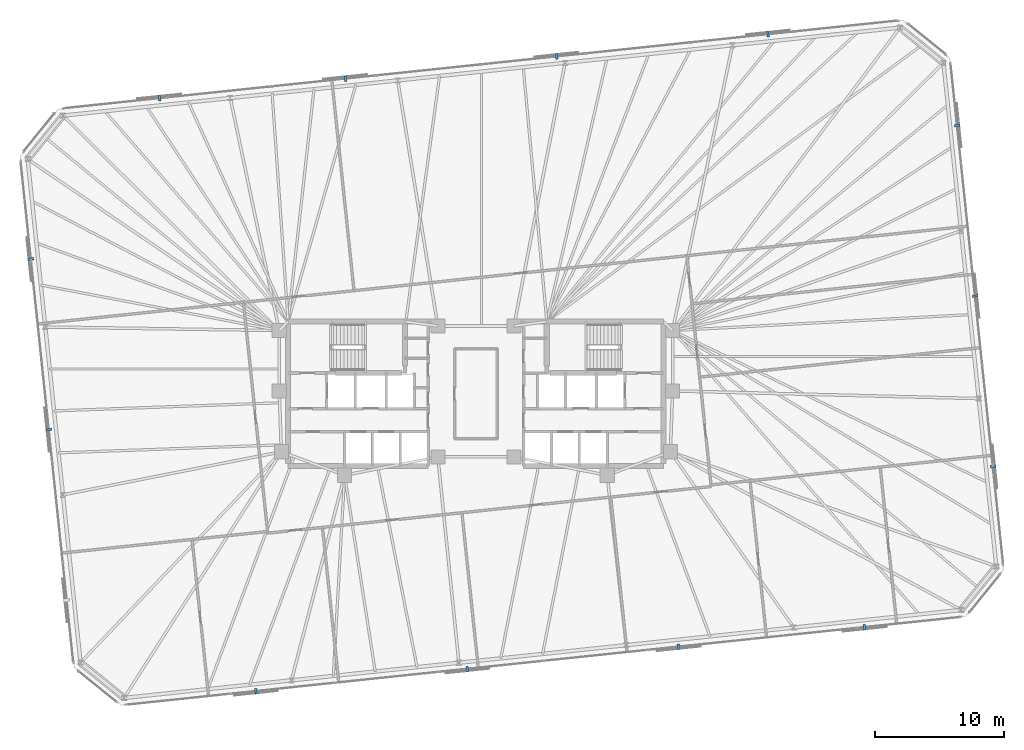
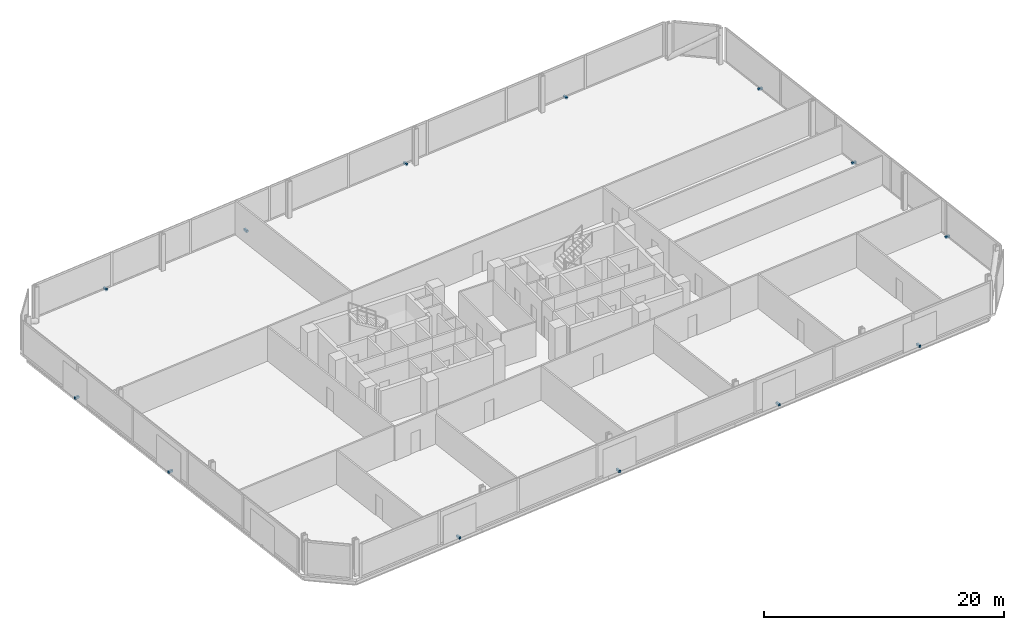
# One storey, part 17 of 18: 13 discrete accessories.
"""IFC4 building model written with IfcOpenShell, lengths in metres."""

from ifc_helpers import new_model, si_unit, direction, frame, origin, origin_2d, place, context, subcontext, project, spatial, rectangle, extrude, material, type_object, element, save


model = new_model("IFC4")

# Units and contexts
model_context = context("Model", 3, precision=1e-05, world=origin(), true_north=direction((0.0, 1.0)))
body_context = subcontext(model_context, "Body", "Model", "MODEL_VIEW")
ifc_project = project(units=[si_unit("LENGTHUNIT", "METRE"), si_unit("AREAUNIT", "SQUARE_METRE"), si_unit("VOLUMEUNIT", "CUBIC_METRE"), si_unit("PLANEANGLEUNIT", "RADIAN"), si_unit("MASSUNIT", "GRAM", prefix="KILO")], contexts=[model_context])

# Site, building, storey
site_placement = place(None, origin())
site = spatial("IfcSite", under=ifc_project, at=site_placement, CompositionType="ELEMENT")
building_placement = place(site_placement, origin())
building = spatial("IfcBuilding", under=site, at=building_placement, Name="Menara Jurai Vektor", CompositionType="ELEMENT")
storey_placement = place(building_placement, frame((0.0, 0.0, 102.199951171875)))
storey = spatial("IfcBuildingStorey", under=building, at=storey_placement, Name="L25", CompositionType="ELEMENT", Elevation=102.199951171875)

# Discrete accessories
ifc_material = material(Name="Steel S355", Category="steel")
discrete_accessory_type = type_object("IfcDiscreteAccessoryType", Name="ENV-ACC-BRACKET", PredefinedType="BRACKET", material=ifc_material)
for number, where, z_axis, x_axis, name in (
    (1, (-17.052001953125, -23.07470703125, -0.1298828125), (0.0, 0.0, 1.0), (0.994521895368, 0.104528463268, 0.0), "Solar Screen Stand-Off Bracket L25-S01"),
    (2, (-0.667236328125, -21.3525390625, -0.1298828125), (0.0, 0.0, 1.0), (0.994521895368, 0.104528463268, 0.0), "Solar Screen Stand-Off Bracket L25-S02"),
    (3, (15.717529296875, -19.63037109375, -0.1298828125), (0.0, 0.0, 1.0), (0.994521895368, 0.104528463268, 0.0), "Solar Screen Stand-Off Bracket L25-S03"),
    (4, (30.13623046875, -18.114990234375, -0.1298828125), (0.0, 0.0, 1.0), (0.994521895368, 0.104528463268, 0.0), "Solar Screen Stand-Off Bracket L25-S04"),
    (5, (40.105712890625, -5.648193359375, -0.1298828125), (0.0, 0.0, 1.0), (-0.104528463268, 0.994521895368, 0.0), "Solar Screen Stand-Off Bracket L25-S05"),
    (6, (38.71533203125, 7.5791015625, -0.1298828125), (0.0, 0.0, 1.0), (-0.104528463268, 0.994521895368, 0.0), "Solar Screen Stand-Off Bracket L25-S06"),
    (7, (37.3251953125, 20.80615234375, -0.1298828125), (0.0, 0.0, 1.0), (-0.104528463268, 0.994521895368, 0.0), "Solar Screen Stand-Off Bracket L25-S07"),
    (8, (22.65185546875, 27.87451171875, -0.1298828125), (0.0, 0.0, 1.0), (-0.994521895368, -0.104528463268, 0.0), "Solar Screen Stand-Off Bracket L25-S08"),
    (9, (6.26708984375, 26.152587890625, -0.1298828125), (0.0, 0.0, 1.0), (-0.994521895368, -0.104528463268, 0.0), "Solar Screen Stand-Off Bracket L25-S09"),
    (10, (-10.11767578125, 24.430419921875, -0.1298828125), (0.0, 0.0, 1.0), (-0.994521895368, -0.104528463268, 0.0), "Solar Screen Stand-Off Bracket L25-S10"),
    (11, (-24.5361328125, 22.9150390625, -0.1298828125), (0.0, 0.0, 1.0), (-0.994521895368, -0.104528463268, 0.0), "Solar Screen Stand-Off Bracket L25-S11"),
    (12, (-34.505615234375, 10.447998046875, -0.1298828125), (0.0, 0.0, 1.0), (0.104528463268, -0.994521895368, 0.0), "Solar Screen Stand-Off Bracket L25-S12"),
    (13, (-33.115478515625, -2.779052734375, -0.1298828125), (0.0, 0.0, 1.0), (0.104528463268, -0.994521895368, 0.0), "Solar Screen Stand-Off Bracket L25-S13"),
):
    element("IfcDiscreteAccessory", number, at=place(storey_placement, frame(where, z_axis=z_axis, x_axis=x_axis)), inside=storey, type_object=discrete_accessory_type, Name=name, PredefinedType="BRACKET", context=body_context, shape_type="SweptSolid", body=[
        extrude(rectangle(XDim=0.179931640625, YDim=0.43994140625, at=origin_2d()), origin(), (0.0, 0.0, 1.0), 0.219970703125),
    ])

save(model, "model.ifc")
